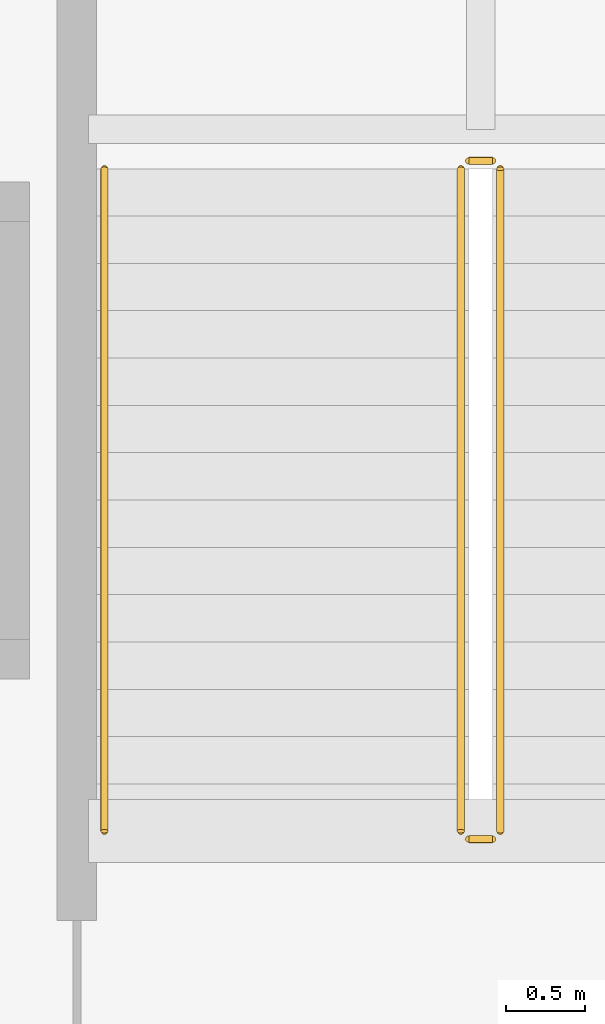
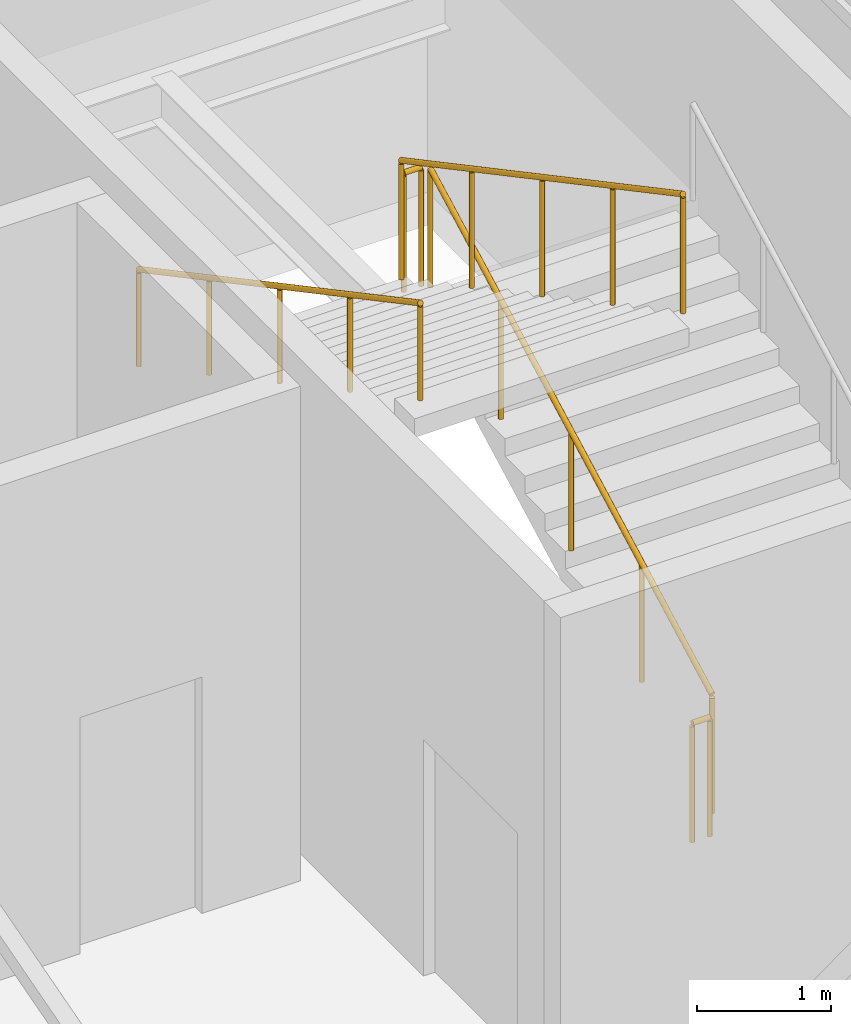
# One storey, part 101 of 104: 5 railings.
"""IFC4 building model written with IfcOpenShell, lengths in metres."""

from ifc_helpers import new_model, si_unit, direction, frame, origin, origin_2d, place, context, subcontext, project, spatial, circle, extrude, material, type_object, element, save


model = new_model("IFC4")

# Units and contexts
model_context = context("Model", 3, precision=1e-05, world=origin(), true_north=direction((0.0, 1.0)))
body_context = subcontext(model_context, "Body", "Model", "MODEL_VIEW")
ifc_project = project(units=[si_unit("LENGTHUNIT", "METRE"), si_unit("AREAUNIT", "SQUARE_METRE"), si_unit("VOLUMEUNIT", "CUBIC_METRE"), si_unit("PLANEANGLEUNIT", "RADIAN"), si_unit("MASSUNIT", "GRAM", prefix="KILO")], contexts=[model_context])

# Site, building, storey
site_placement = place(None, origin())
site = spatial("IfcSite", under=ifc_project, at=site_placement, CompositionType="ELEMENT")
building_placement = place(site_placement, origin())
building = spatial("IfcBuilding", under=site, at=building_placement, Name="Koshinbarg Plaza Stadium", CompositionType="ELEMENT")
storey_placement = place(building_placement, frame((0.0, 0.0, 19.800048828125)))
storey = spatial("IfcBuildingStorey", under=building, at=storey_placement, Name="L04", CompositionType="ELEMENT", Elevation=19.800048828125)

# Railings
ifc_material_1 = material(Name="Galvanized painted steel guardrail", Category="steel")
railing_type_1 = type_object("IfcRailingType", Name="RL-GUARD-1100", PredefinedType="GUARDRAIL", material=ifc_material_1)
railing_1_placement = place(storey_placement, frame((214.760009765625, 116.360107421875, 0.159912109375)))
element("IfcRailing", 1, at=railing_1_placement, inside=storey, type_object=railing_type_1, Name="L04 C10 stair guard 1", PredefinedType="GUARDRAIL", context=body_context, shape_type="SweptSolid", body=[
    extrude(circle(Radius=0.02392578125, at=origin_2d()), frame((0.0, 0.0, 1.076171875), z_axis=(0.0, 0.882351521365, 0.470590897432), x_axis=(-1.0, 0.0, 0.0)), (0.0, 0.0, 1.0), 4.760009765625),
    extrude(circle(Radius=0.02099609375, at=origin_2d()), origin(), (0.0, 0.0, 1.0), 1.052001953125),
    extrude(circle(Radius=0.02099609375, at=origin_2d()), frame((0.0, 1.050048828125, 0.56005859375)), (0.0, 0.0, 1.0), 1.052001953125),
    extrude(circle(Radius=0.02099609375, at=origin_2d()), frame((0.0, 2.10009765625, 1.1201171875)), (0.0, 0.0, 1.0), 1.052001953125),
    extrude(circle(Radius=0.02099609375, at=origin_2d()), frame((0.0, 3.14990234375, 1.679931640625)), (0.0, 0.0, 1.0), 1.052001953125),
    extrude(circle(Radius=0.02099609375, at=origin_2d()), frame((0.0, 4.199951171875, 2.239990234375)), (0.0, 0.0, 1.0), 1.052001953125),
])
railing_2_placement = place(storey_placement, frame((214.7099609375, 120.610107421875, 2.39990234375)))
element("IfcRailing", 2, at=railing_2_placement, inside=storey, type_object=railing_type_1, Name="L04 C10 stair guard 2", PredefinedType="GUARDRAIL", context=body_context, shape_type="SweptSolid", body=[
    extrude(circle(Radius=0.02392578125, at=origin_2d()), frame((0.0, 0.0, 1.076171875), z_axis=(-1.0, 0.0, 0.0), x_axis=(0.0, -1.0, 0.0)), (0.0, 0.0, 1.0), 0.14990234375),
    extrude(circle(Radius=0.02099609375, at=origin_2d()), origin(), (0.0, 0.0, 1.0), 1.052001953125),
    extrude(circle(Radius=0.02099609375, at=origin_2d()), frame((-0.14990234375, 0.0, 0.0)), (0.0, 0.0, 1.0), 1.052001953125),
])
railing_3_placement = place(storey_placement, frame((214.510009765625, 120.56005859375, 2.56005859375)))
element("IfcRailing", 3, at=railing_3_placement, inside=storey, type_object=railing_type_1, Name="L04 C10 stair guard 3", PredefinedType="GUARDRAIL", context=body_context, shape_type="SweptSolid", body=[
    extrude(circle(Radius=0.02392578125, at=origin_2d()), frame((0.0, 0.0, 1.076171875), z_axis=(0.0, -0.882351521365, 0.470590897432), x_axis=(1.0, 0.0, 0.0)), (0.0, 0.0, 1.0), 4.760009765625),
    extrude(circle(Radius=0.02099609375, at=origin_2d()), origin(), (0.0, 0.0, 1.0), 1.052001953125),
    extrude(circle(Radius=0.02099609375, at=origin_2d()), frame((0.0, -1.050048828125, 0.56005859375)), (0.0, 0.0, 1.0), 1.052001953125),
    extrude(circle(Radius=0.02099609375, at=origin_2d()), frame((0.0, -2.10009765625, 1.1201171875)), (0.0, 0.0, 1.0), 1.052001953125),
    extrude(circle(Radius=0.02099609375, at=origin_2d()), frame((0.0, -3.14990234375, 1.679931640625)), (0.0, 0.0, 1.0), 1.052001953125),
    extrude(circle(Radius=0.02099609375, at=origin_2d()), frame((0.0, -4.199951171875, 2.239990234375)), (0.0, 0.0, 1.0), 1.052001953125),
])
railing_4_placement = place(storey_placement, frame((214.7099609375, 116.31005859375, 0.0)))
element("IfcRailing", 4, at=railing_4_placement, inside=storey, type_object=railing_type_1, Name="L04 C10 stair guard 4", PredefinedType="GUARDRAIL", context=body_context, shape_type="SweptSolid", body=[
    extrude(circle(Radius=0.02392578125, at=origin_2d()), frame((0.0, 0.0, 1.076171875), z_axis=(-1.0, 0.0, 0.0), x_axis=(0.0, -1.0, 0.0)), (0.0, 0.0, 1.0), 0.14990234375),
    extrude(circle(Radius=0.02099609375, at=origin_2d()), origin(), (0.0, 0.0, 1.0), 1.052001953125),
    extrude(circle(Radius=0.02099609375, at=origin_2d()), frame((-0.14990234375, 0.0, 0.0)), (0.0, 0.0, 1.0), 1.052001953125),
])
ifc_material_2 = material(Name="Brushed stainless steel handrail", Category="steel")
railing_type_2 = type_object("IfcRailingType", Name="RL-HAND-900", PredefinedType="HANDRAIL", material=ifc_material_2)
railing_5_placement = place(storey_placement, frame((212.25, 120.56005859375, 2.56005859375)))
element("IfcRailing", 5, at=railing_5_placement, inside=storey, type_object=railing_type_2, Name="L04 C10 stair handrail 2", PredefinedType="HANDRAIL", context=body_context, shape_type="SweptSolid", body=[
    extrude(circle(Radius=0.02392578125, at=origin_2d()), frame((0.0, 0.0, 0.8759765625), z_axis=(0.0, -0.882351521365, 0.470590897432), x_axis=(1.0, 0.0, 0.0)), (0.0, 0.0, 1.0), 4.760009765625),
    extrude(circle(Radius=0.02099609375, at=origin_2d()), origin(), (0.0, 0.0, 1.0), 0.851806640625),
    extrude(circle(Radius=0.02099609375, at=origin_2d()), frame((0.0, -1.050048828125, 0.56005859375)), (0.0, 0.0, 1.0), 0.851806640625),
    extrude(circle(Radius=0.02099609375, at=origin_2d()), frame((0.0, -2.10009765625, 1.1201171875)), (0.0, 0.0, 1.0), 0.851806640625),
    extrude(circle(Radius=0.02099609375, at=origin_2d()), frame((0.0, -3.14990234375, 1.679931640625)), (0.0, 0.0, 1.0), 0.851806640625),
    extrude(circle(Radius=0.02099609375, at=origin_2d()), frame((0.0, -4.199951171875, 2.239990234375)), (0.0, 0.0, 1.0), 0.851806640625),
])

save(model, "model.ifc")
